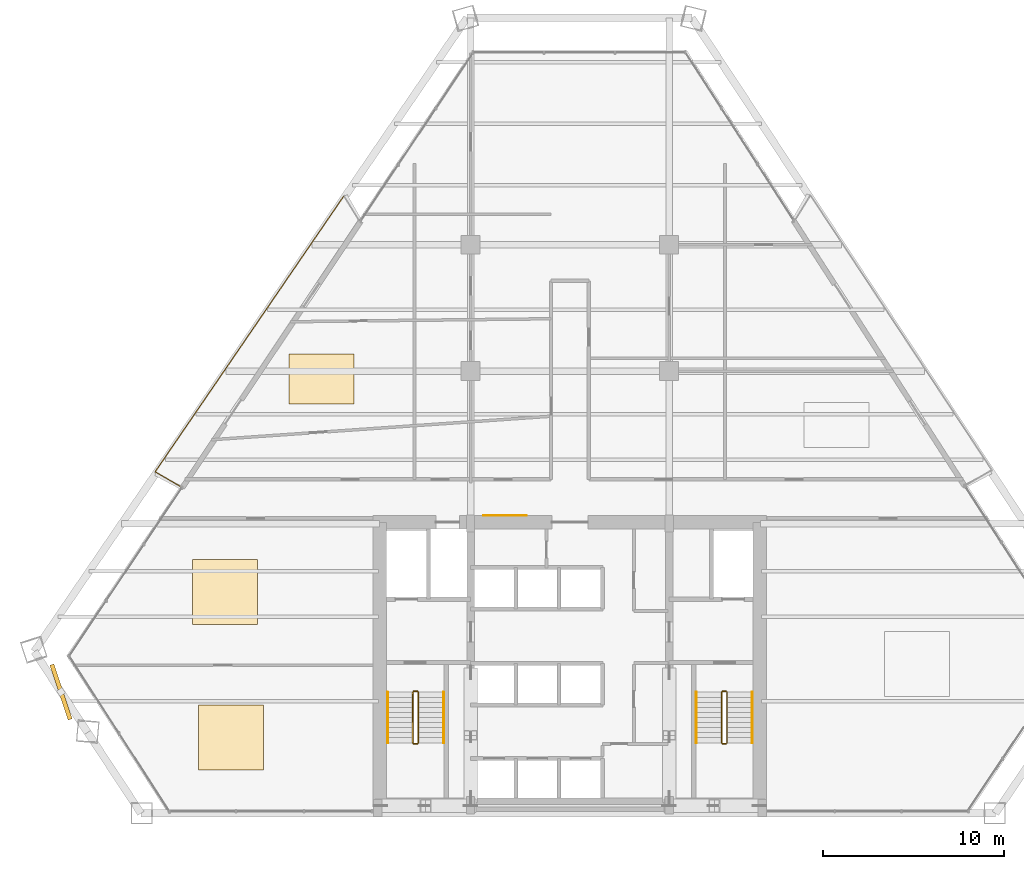
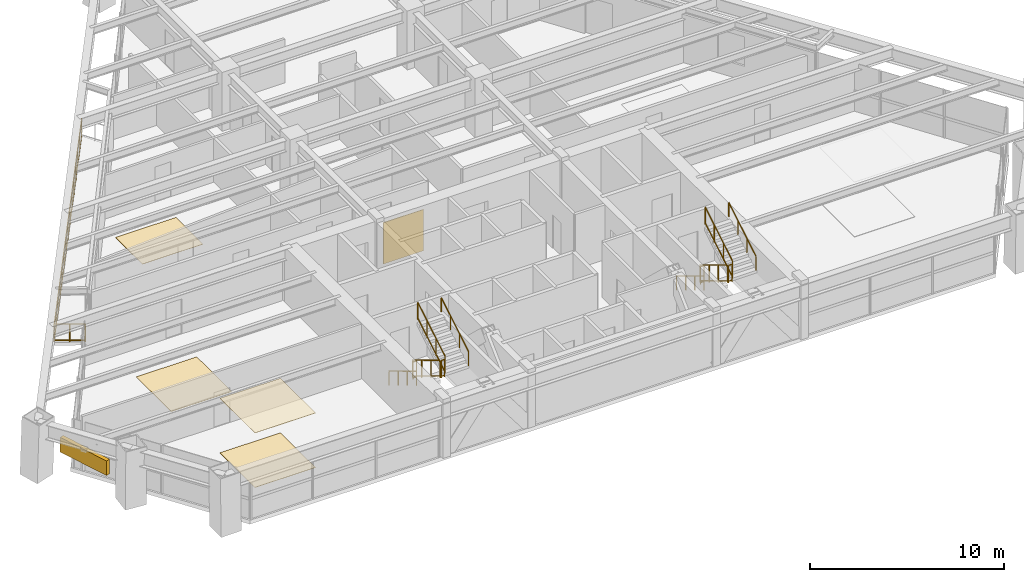
# One storey, part 13 of 14: 14 railings, 5 coverings, 1 shading device.
"""IFC4 building model written with IfcOpenShell, lengths in metres."""

import ifcopenshell
import ifcopenshell.guid

model = None  # the IFC model being written
_history = None  # IfcOwnerHistory: only IFC2X3 demands one
_inside = {}  # id of a spatial element -> (the spatial element, [elements in it])
_under = {}  # id of a project, library or spatial element -> (it, [spatial elements below it])
_declared = {}  # id of a project -> (the project, [libraries it declares])
_typed = {}  # id of a type object -> (the type object, [elements of that type])
_made_of = {}  # id of a material, layer set ... -> (it, [elements and type objects made of it])


def new_model(schema):
    """Start an empty IFC model of exactly this schema.

    Asked for "IFC4X3", IfcOpenShell would pick the latest addendum, in which some entities
    have other attributes; the version numbers below select the first issue.
    IFC2X3 requires an IfcOwnerHistory on every rooted entity: one is made here for all.
    """
    global model, _history
    if schema == "IFC4X3":
        model = ifcopenshell.file(schema_version=(4, 3, 0, 0))
    else:
        model = ifcopenshell.file(schema=schema)
    _inside.clear()
    _under.clear()
    _declared.clear()
    _typed.clear()
    _made_of.clear()
    _history = None
    if model.schema == "IFC2X3":
        org = make("IfcOrganization", Name="unknown")
        user = make(
            "IfcPersonAndOrganization",
            ThePerson=make("IfcPerson", FamilyName="unknown"),
            TheOrganization=org,
        )
        app = make(
            "IfcApplication",
            ApplicationDeveloper=org,
            Version="unknown",
            ApplicationFullName="unknown",
            ApplicationIdentifier="unknown",
        )
        _history = make(
            "IfcOwnerHistory",
            OwningUser=user,
            OwningApplication=app,
            ChangeAction="ADDED",
            CreationDate=0,
        )
    return model


def make(cls, **values):
    """One entity of the class cls with the attributes given. An attribute that is None is left unset."""
    return model.create_entity(
        cls, **{name: value for name, value in values.items() if value is not None}
    )


def rooted(cls, **values):
    """An entity with a GlobalId (a new one), such as an element, a storey or a relation."""
    return make(cls, GlobalId=ifcopenshell.guid.new(), OwnerHistory=_history, **values)


def si_unit(unit_type, name, prefix=None):
    """IfcSIUnit, for example si_unit("LENGTHUNIT", "METRE", prefix="MILLI")."""
    return make("IfcSIUnit", UnitType=unit_type, Prefix=prefix, Name=name)


def assignment(units):
    """IfcUnitAssignment: the units of a project."""
    return None if units is None else make("IfcUnitAssignment", Units=units)


def point(xyz):
    """IfcCartesianPoint."""
    return None if xyz is None else make("IfcCartesianPoint", Coordinates=xyz)


def direction(xyz):
    """IfcDirection."""
    return None if xyz is None else make("IfcDirection", DirectionRatios=xyz)


def frame(location, z_axis=None, x_axis=None):
    """IfcAxis2Placement3D, a coordinate frame: its origin and axes. An axis left out is left unset."""
    return make(
        "IfcAxis2Placement3D",
        Location=point(location),
        Axis=direction(z_axis),
        RefDirection=direction(x_axis),
    )


def frame_2d(location, x_axis=None):
    """IfcAxis2Placement2D, a coordinate frame in the plane: its origin and x axis."""
    return make(
        "IfcAxis2Placement2D", Location=point(location), RefDirection=direction(x_axis)
    )


def origin():
    """The frame at (0, 0, 0) with its axes left unset."""
    return frame((0.0, 0.0, 0.0))


def origin_2d():
    """The frame at (0, 0) in the plane with its x axis left unset."""
    return frame_2d((0.0, 0.0))


def place(relative_to, where):
    """IfcLocalPlacement: puts the frame where relative to a parent placement (None: the world)."""
    return make(
        "IfcLocalPlacement", PlacementRelTo=relative_to, RelativePlacement=where
    )


def context(
    kind, dimensions, precision=None, world=None, true_north=None, identifier=None
):
    """IfcGeometricRepresentationContext, for example the 3D "Model" context."""
    return make(
        "IfcGeometricRepresentationContext",
        ContextIdentifier=identifier,
        ContextType=kind,
        CoordinateSpaceDimension=dimensions,
        Precision=precision,
        WorldCoordinateSystem=world,
        TrueNorth=true_north,
    )


def subcontext(parent, identifier, kind, view, scale=None):
    """IfcGeometricRepresentationSubContext, for example "Body" below "Model"."""
    return make(
        "IfcGeometricRepresentationSubContext",
        ContextIdentifier=identifier,
        ContextType=kind,
        ParentContext=parent,
        TargetScale=scale,
        TargetView=view,
    )


def project(units=None, contexts=None):
    """IfcProject with its units and contexts."""
    return rooted(
        "IfcProject",
        Name="project",
        RepresentationContexts=contexts,
        UnitsInContext=assignment(units),
    )


def spatial(cls, under=None, at=None, **own):
    """A site, building, storey or space (cls), placed at a placement, below another one or the project."""
    s = rooted(cls, ObjectPlacement=at, **own)
    if under is not None:
        _under.setdefault(under.id(), (under, []))[1].append(s)
    return s


def profile(cls, at=None, kind="AREA", **sizes):
    """A parametric profile (cls). Its sizes go by their IFC names, for example OverallWidth=200.0."""
    return make(cls, ProfileType=kind, Position=at, **sizes)


def rectangle(**sizes):
    """IfcRectangleProfileDef."""
    return profile("IfcRectangleProfileDef", **sizes)


def extrude(swept, where, along, depth):
    """IfcExtrudedAreaSolid: the profile swept, set in the frame where, extruded along a direction by depth."""
    return make(
        "IfcExtrudedAreaSolid",
        SweptArea=swept,
        Position=where,
        ExtrudedDirection=direction(along),
        Depth=depth,
    )


def shape(context_of_items, identifier, shape_type, items):
    """IfcShapeRepresentation: the items that make up one representation, for example the "Body"."""
    return make(
        "IfcShapeRepresentation",
        ContextOfItems=context_of_items,
        RepresentationIdentifier=identifier,
        RepresentationType=shape_type,
        Items=items,
    )


def source(mapping_origin, context_of_items, identifier, shape_type, items):
    """IfcRepresentationMap: a shape defined once, which mapped items show again and again."""
    return make(
        "IfcRepresentationMap",
        MappingOrigin=mapping_origin,
        MappedRepresentation=shape(context_of_items, identifier, shape_type, items),
    )


def transform(
    local_origin,
    x_axis=None,
    y_axis=None,
    z_axis=None,
    scale=None,
    scale2=None,
    scale3=None,
    uniform=True,
):
    """IfcCartesianTransformationOperator3D, or its non-uniform kind. x_axis, y_axis, z_axis: its Axis1, 2, 3."""
    if uniform:
        return make(
            "IfcCartesianTransformationOperator3D",
            Axis1=direction(x_axis),
            Axis2=direction(y_axis),
            LocalOrigin=point(local_origin),
            Scale=scale,
            Axis3=direction(z_axis),
        )
    return make(
        "IfcCartesianTransformationOperator3DnonUniform",
        Axis1=direction(x_axis),
        Axis2=direction(y_axis),
        LocalOrigin=point(local_origin),
        Scale=scale,
        Axis3=direction(z_axis),
        Scale2=scale2,
        Scale3=scale3,
    )


def mapped(mapping_source, mapping_target):
    """IfcMappedItem: shows the shape of a source again, moved by a transform."""
    return make(
        "IfcMappedItem", MappingSource=mapping_source, MappingTarget=mapping_target
    )


def material(Name=None, Category=None):
    """IfcMaterial."""
    return make("IfcMaterial", Name=Name, Category=Category)


def layer(
    of_material, thickness, ventilated=None, Name=None, Category=None, Priority=None
):
    """IfcMaterialLayer: one layer of a wall or slab, of a material (None: an air gap)."""
    return make(
        "IfcMaterialLayer",
        Material=of_material,
        LayerThickness=thickness,
        IsVentilated=ventilated,
        Name=Name,
        Category=Category,
        Priority=Priority,
    )


def layer_set(layers, Name=None):
    """IfcMaterialLayerSet."""
    return make("IfcMaterialLayerSet", MaterialLayers=layers, LayerSetName=Name)


def made_of(thing, what):
    """Note that an element or type object is made of a material, layer set ...; save() writes the relation."""
    if what is not None:
        _made_of.setdefault(what.id(), (what, []))[1].append(thing)
    return thing


def type_object(cls, material=None, **own):
    """A type object (cls), such as IfcWallType, which elements share."""
    return made_of(rooted(cls, **own), material)


def type_shapes(of_type, sources):
    """Give a type object the sources (RepresentationMaps) that its elements show as mapped items."""
    of_type.RepresentationMaps = sources


def element(
    cls,
    number,
    at=None,
    inside=None,
    cuts=None,
    type_object=None,
    material=None,
    context=None,
    identifier="Body",
    shape_type=None,
    held_by="IfcProductDefinitionShape",
    body=None,
    shapes=None,
    **own,
):
    """One element of the class cls, such as IfcWall. Its Tag is "e" and its number.

    at: its placement. inside: the storey or other place that contains it. cuts: it is an
    opening in that element (IfcRelVoidsElement). A single representation is given by context,
    identifier, shape_type and body (its items); several are given by shapes. held_by: the class
    of the entity that holds the representations. save() writes the other relations.
    """
    e = rooted(cls, Tag="e%d" % number, ObjectPlacement=at, **own)
    if body is not None:
        shapes = [shape(context, identifier, shape_type, body)]
    if shapes is not None:
        e.Representation = make(held_by, Representations=shapes)
    if inside is not None:
        _inside.setdefault(inside.id(), (inside, []))[1].append(e)
    if cuts is not None:
        rooted(
            "IfcRelVoidsElement", RelatingBuildingElement=cuts, RelatedOpeningElement=e
        )
    if type_object is not None:
        _typed.setdefault(type_object.id(), (type_object, []))[1].append(e)
    return made_of(e, material)


def aggregate(whole, parts):
    """IfcRelAggregates: a whole, such as a stair, and the parts it consists of."""
    return rooted("IfcRelAggregates", RelatingObject=whole, RelatedObjects=parts)


def save(model, path):
    """Write the relations noted so far, then the file.

    IfcRelAggregates (storeys below a building ...), IfcRelContainedInSpatialStructure (elements
    in a storey), IfcRelDefinesByType, IfcRelAssociatesMaterial and IfcRelDeclares: one each for
    every whole, place, type object, material and project.
    """
    for whole, parts in _under.values():
        aggregate(whole, parts)
    for where, things in _inside.values():
        rooted(
            "IfcRelContainedInSpatialStructure",
            RelatedElements=things,
            RelatingStructure=where,
        )
    for kind, things in _typed.values():
        rooted("IfcRelDefinesByType", RelatedObjects=things, RelatingType=kind)
    for what, things in _made_of.values():
        rooted("IfcRelAssociatesMaterial", RelatedObjects=things, RelatingMaterial=what)
    for by, libraries in _declared.values():
        rooted("IfcRelDeclares", RelatingContext=by, RelatedDefinitions=libraries)
    model.write(path)


model = new_model("IFC4")

# Units and contexts
model_context = context("Model", 3, precision=1e-05, world=origin(), true_north=direction((0.0, 1.0)))
body_context = subcontext(model_context, "Body", "Model", "MODEL_VIEW")
ifc_project = project(units=[si_unit("LENGTHUNIT", "METRE"), si_unit("AREAUNIT", "SQUARE_METRE"), si_unit("VOLUMEUNIT", "CUBIC_METRE"), si_unit("PLANEANGLEUNIT", "RADIAN"), si_unit("MASSUNIT", "GRAM", prefix="KILO")], contexts=[model_context])

# Site, building, storey
site_placement = place(None, origin())
site = spatial("IfcSite", under=ifc_project, at=site_placement, CompositionType="ELEMENT")
building_placement = place(site_placement, origin())
building = spatial("IfcBuilding", under=site, at=building_placement, Name="Varnakhor Terracotta Tower", CompositionType="ELEMENT")
storey_placement = place(building_placement, frame((0.0, 0.0, 102.5)))
storey = spatial("IfcBuildingStorey", under=building, at=storey_placement, Name="L25", CompositionType="ELEMENT", Elevation=102.5)

# Railings
ifc_material_1 = material(Name="Stainless Steel & Laminated Glass Guardrail", Category="steel")
railing_type_1 = type_object("IfcRailingType", Name="RLG-LOGGIA-GUARD-1150", PredefinedType="GUARDRAIL", material=ifc_material_1)
railing_1_placement = place(storey_placement, frame((-21.59130859375, 18.115966796875, 0.0)))
element("IfcRailing", 1, at=railing_1_placement, inside=storey, type_object=railing_type_1, Name="L25 W Loggia Glass Guard 1", PredefinedType="GUARDRAIL", context=body_context, shape_type="SweptSolid", body=[
    extrude(rectangle(XDim=0.048095703125, YDim=0.048095703125, at=origin_2d()), frame((0.0, 0.0, 1.1259765625), z_axis=(-0.86446870161, 0.50268664587, 0.0), x_axis=(-0.50268664587, -0.86446870161, 0.0)), (0.0, 0.0, 1.0), 1.602783203125),
    extrude(rectangle(XDim=0.048095703125, YDim=0.048095703125, at=origin_2d()), frame((0.0, 0.0, 0.10009765625), z_axis=(-0.86446870161, 0.50268664587, 0.0), x_axis=(-0.50268664587, -0.86446870161, 0.0)), (0.0, 0.0, 1.0), 1.602783203125),
    extrude(rectangle(XDim=0.0419921875, YDim=0.0419921875, at=origin_2d()), origin(), (0.0, 0.0, 1.0), 1.101806640625),
    extrude(rectangle(XDim=0.0419921875, YDim=0.0419921875, at=origin_2d()), frame((-0.69287109375, 0.40283203125, 0.0)), (0.0, 0.0, 1.0), 1.101806640625),
    extrude(rectangle(XDim=0.0419921875, YDim=0.0419921875, at=origin_2d()), frame((-1.385498046875, 0.8056640625, 0.0)), (0.0, 0.0, 1.0), 1.101806640625),
])
railing_2_placement = place(storey_placement, frame((-22.976806640625, 18.921630859375, 0.0)))
element("IfcRailing", 2, at=railing_2_placement, inside=storey, type_object=railing_type_1, Name="L25 W Loggia Glass Guard 2", PredefinedType="GUARDRAIL", context=body_context, shape_type="SweptSolid", body=[
    extrude(rectangle(XDim=0.048095703125, YDim=0.048095703125, at=origin_2d()), frame((0.0, 0.0, 1.1259765625), z_axis=(0.564596456009, 0.825367095214, 0.0), x_axis=(-0.825367095214, 0.564596456009, 0.0)), (0.0, 0.0, 1.0), 18.513916015625),
    extrude(rectangle(XDim=0.048095703125, YDim=0.048095703125, at=origin_2d()), frame((0.0, 0.0, 0.10009765625), z_axis=(0.564596456009, 0.825367095214, 0.0), x_axis=(-0.825367095214, 0.564596456009, 0.0)), (0.0, 0.0, 1.0), 18.513916015625),
    extrude(rectangle(XDim=0.0419921875, YDim=0.0419921875, at=origin_2d()), origin(), (0.0, 0.0, 1.0), 1.101806640625),
    extrude(rectangle(XDim=0.0419921875, YDim=0.0419921875, at=origin_2d()), frame((0.74658203125, 1.091552734375, 0.0)), (0.0, 0.0, 1.0), 1.101806640625),
    extrude(rectangle(XDim=0.0419921875, YDim=0.0419921875, at=origin_2d()), frame((1.4931640625, 2.182861328125, 0.0)), (0.0, 0.0, 1.0), 1.101806640625),
    extrude(rectangle(XDim=0.0419921875, YDim=0.0419921875, at=origin_2d()), frame((2.239990234375, 3.2744140625, 0.0)), (0.0, 0.0, 1.0), 1.101806640625),
    extrude(rectangle(XDim=0.0419921875, YDim=0.0419921875, at=origin_2d()), frame((2.986572265625, 4.365966796875, 0.0)), (0.0, 0.0, 1.0), 1.101806640625),
    extrude(rectangle(XDim=0.0419921875, YDim=0.0419921875, at=origin_2d()), frame((3.733154296875, 5.45751953125, 0.0)), (0.0, 0.0, 1.0), 1.101806640625),
    extrude(rectangle(XDim=0.0419921875, YDim=0.0419921875, at=origin_2d()), frame((4.479736328125, 6.548828125, 0.0)), (0.0, 0.0, 1.0), 1.101806640625),
    extrude(rectangle(XDim=0.0419921875, YDim=0.0419921875, at=origin_2d()), frame((5.2265625, 7.640380859375, 0.0)), (0.0, 0.0, 1.0), 1.101806640625),
    extrude(rectangle(XDim=0.0419921875, YDim=0.0419921875, at=origin_2d()), frame((5.97314453125, 8.73193359375, 0.0)), (0.0, 0.0, 1.0), 1.101806640625),
    extrude(rectangle(XDim=0.0419921875, YDim=0.0419921875, at=origin_2d()), frame((6.7197265625, 9.8232421875, 0.0)), (0.0, 0.0, 1.0), 1.101806640625),
    extrude(rectangle(XDim=0.0419921875, YDim=0.0419921875, at=origin_2d()), frame((7.46630859375, 10.914794921875, 0.0)), (0.0, 0.0, 1.0), 1.101806640625),
    extrude(rectangle(XDim=0.0419921875, YDim=0.0419921875, at=origin_2d()), frame((8.212890625, 12.00634765625, 0.0)), (0.0, 0.0, 1.0), 1.101806640625),
    extrude(rectangle(XDim=0.0419921875, YDim=0.0419921875, at=origin_2d()), frame((8.959716796875, 13.097900390625, 0.0)), (0.0, 0.0, 1.0), 1.101806640625),
    extrude(rectangle(XDim=0.0419921875, YDim=0.0419921875, at=origin_2d()), frame((9.706298828125, 14.189208984375, 0.0)), (0.0, 0.0, 1.0), 1.101806640625),
    extrude(rectangle(XDim=0.0419921875, YDim=0.0419921875, at=origin_2d()), frame((10.452880859375, 15.28076171875, 0.0)), (0.0, 0.0, 1.0), 1.101806640625),
])
ifc_material_2 = material(Name="Painted Steel Stairwell Guardrail", Category="steel")
railing_type_2 = type_object("IfcRailingType", Name="RLG-STAIR-GUARD-1120", PredefinedType="GUARDRAIL", material=ifc_material_2)
railing_3_placement = place(storey_placement, frame((-8.699951171875, 6.7099609375, 0.168212890625)))
element("IfcRailing", 3, at=railing_3_placement, inside=storey, type_object=railing_type_2, Name="L25 ST-1 stair guard 1", PredefinedType="GUARDRAIL", context=body_context, shape_type="SweptSolid", body=[
    extrude(rectangle(XDim=0.048095703125, YDim=0.048095703125, at=origin_2d()), frame((0.0, 0.0, 1.09619140625), z_axis=(0.0, -0.857242210791, 0.514913383045), x_axis=(1.0, 0.0, 0.0)), (0.0, 0.0, 1.0), 3.266357421875),
    extrude(rectangle(XDim=0.048095703125, YDim=0.048095703125, at=origin_2d()), frame((0.0, 0.0, 0.10009765625), z_axis=(0.0, -0.857242210791, 0.514913383045), x_axis=(1.0, 0.0, 0.0)), (0.0, 0.0, 1.0), 3.266357421875),
    extrude(rectangle(XDim=0.0419921875, YDim=0.0419921875, at=origin_2d()), origin(), (0.0, 0.0, 1.0), 1.072021484375),
    extrude(rectangle(XDim=0.0419921875, YDim=0.0419921875, at=origin_2d()), frame((0.0, -0.933349609375, 0.560546875)), (0.0, 0.0, 1.0), 1.072021484375),
    extrude(rectangle(XDim=0.0419921875, YDim=0.0419921875, at=origin_2d()), frame((0.0, -1.86669921875, 1.121337890625)), (0.0, 0.0, 1.0), 1.072021484375),
    extrude(rectangle(XDim=0.0419921875, YDim=0.0419921875, at=origin_2d()), frame((0.0, -2.800048828125, 1.681884765625)), (0.0, 0.0, 1.0), 1.072021484375),
])
railing_4_placement = place(storey_placement, frame((-8.64990234375, 3.860107421875, 1.85009765625)))
element("IfcRailing", 4, at=railing_4_placement, inside=storey, type_object=railing_type_2, Name="L25 ST-1 stair guard 2", PredefinedType="GUARDRAIL", context=body_context, shape_type="SweptSolid", body=[
    extrude(rectangle(XDim=0.048095703125, YDim=0.048095703125, at=origin_2d()), frame((0.0, 0.0, 1.09619140625), z_axis=(1.0, 0.0, 0.0), x_axis=(0.0, 1.0, 0.0)), (0.0, 0.0, 1.0), 0.199951171875),
    extrude(rectangle(XDim=0.048095703125, YDim=0.048095703125, at=origin_2d()), frame((0.0, 0.0, 0.10009765625), z_axis=(1.0, 0.0, 0.0), x_axis=(0.0, 1.0, 0.0)), (0.0, 0.0, 1.0), 0.199951171875),
    extrude(rectangle(XDim=0.0419921875, YDim=0.0419921875, at=origin_2d()), origin(), (0.0, 0.0, 1.0), 1.072021484375),
    extrude(rectangle(XDim=0.0419921875, YDim=0.0419921875, at=origin_2d()), frame((0.199951171875, 0.0, 0.0)), (0.0, 0.0, 1.0), 1.072021484375),
])
railing_5_placement = place(storey_placement, frame((-8.39990234375, 3.909912109375, 2.01806640625)))
element("IfcRailing", 5, at=railing_5_placement, inside=storey, type_object=railing_type_2, Name="L25 ST-1 stair guard 3", PredefinedType="GUARDRAIL", context=body_context, shape_type="SweptSolid", body=[
    extrude(rectangle(XDim=0.048095703125, YDim=0.048095703125, at=origin_2d()), frame((0.0, 0.0, 1.09619140625), z_axis=(0.0, 0.857242210791, 0.514913383045), x_axis=(-1.0, 0.0, 0.0)), (0.0, 0.0, 1.0), 3.266357421875),
    extrude(rectangle(XDim=0.048095703125, YDim=0.048095703125, at=origin_2d()), frame((0.0, 0.0, 0.10009765625), z_axis=(0.0, 0.857242210791, 0.514913383045), x_axis=(-1.0, 0.0, 0.0)), (0.0, 0.0, 1.0), 3.266357421875),
    extrude(rectangle(XDim=0.0419921875, YDim=0.0419921875, at=origin_2d()), origin(), (0.0, 0.0, 1.0), 1.072021484375),
    extrude(rectangle(XDim=0.0419921875, YDim=0.0419921875, at=origin_2d()), frame((0.0, 0.933349609375, 0.560546875)), (0.0, 0.0, 1.0), 1.072021484375),
    extrude(rectangle(XDim=0.0419921875, YDim=0.0419921875, at=origin_2d()), frame((0.0, 1.86669921875, 1.121337890625)), (0.0, 0.0, 1.0), 1.072021484375),
    extrude(rectangle(XDim=0.0419921875, YDim=0.0419921875, at=origin_2d()), frame((0.0, 2.800048828125, 1.681884765625)), (0.0, 0.0, 1.0), 1.072021484375),
])
railing_6_placement = place(storey_placement, frame((-8.64990234375, 6.760009765625, 0.0)))
element("IfcRailing", 6, at=railing_6_placement, inside=storey, type_object=railing_type_2, Name="L25 ST-1 stair guard 4", PredefinedType="GUARDRAIL", context=body_context, shape_type="SweptSolid", body=[
    extrude(rectangle(XDim=0.048095703125, YDim=0.048095703125, at=origin_2d()), frame((0.0, 0.0, 1.09619140625), z_axis=(1.0, 0.0, 0.0), x_axis=(0.0, 1.0, 0.0)), (0.0, 0.0, 1.0), 0.199951171875),
    extrude(rectangle(XDim=0.048095703125, YDim=0.048095703125, at=origin_2d()), frame((0.0, 0.0, 0.10009765625), z_axis=(1.0, 0.0, 0.0), x_axis=(0.0, 1.0, 0.0)), (0.0, 0.0, 1.0), 0.199951171875),
    extrude(rectangle(XDim=0.0419921875, YDim=0.0419921875, at=origin_2d()), origin(), (0.0, 0.0, 1.0), 1.072021484375),
    extrude(rectangle(XDim=0.0419921875, YDim=0.0419921875, at=origin_2d()), frame((0.199951171875, 0.0, 0.0)), (0.0, 0.0, 1.0), 1.072021484375),
])
railing_7_placement = place(storey_placement, frame((8.39990234375, 6.7099609375, 0.168212890625)))
element("IfcRailing", 7, at=railing_7_placement, inside=storey, type_object=railing_type_2, Name="L25 ST-2 stair guard 1", PredefinedType="GUARDRAIL", context=body_context, shape_type="SweptSolid", body=[
    extrude(rectangle(XDim=0.048095703125, YDim=0.048095703125, at=origin_2d()), frame((0.0, 0.0, 1.09619140625), z_axis=(0.0, -0.857242210791, 0.514913383045), x_axis=(1.0, 0.0, 0.0)), (0.0, 0.0, 1.0), 3.266357421875),
    extrude(rectangle(XDim=0.048095703125, YDim=0.048095703125, at=origin_2d()), frame((0.0, 0.0, 0.10009765625), z_axis=(0.0, -0.857242210791, 0.514913383045), x_axis=(1.0, 0.0, 0.0)), (0.0, 0.0, 1.0), 3.266357421875),
    extrude(rectangle(XDim=0.0419921875, YDim=0.0419921875, at=origin_2d()), origin(), (0.0, 0.0, 1.0), 1.072021484375),
    extrude(rectangle(XDim=0.0419921875, YDim=0.0419921875, at=origin_2d()), frame((0.0, -0.933349609375, 0.560546875)), (0.0, 0.0, 1.0), 1.072021484375),
    extrude(rectangle(XDim=0.0419921875, YDim=0.0419921875, at=origin_2d()), frame((0.0, -1.86669921875, 1.121337890625)), (0.0, 0.0, 1.0), 1.072021484375),
    extrude(rectangle(XDim=0.0419921875, YDim=0.0419921875, at=origin_2d()), frame((0.0, -2.800048828125, 1.681884765625)), (0.0, 0.0, 1.0), 1.072021484375),
])
railing_8_placement = place(storey_placement, frame((8.449951171875, 3.860107421875, 1.85009765625)))
element("IfcRailing", 8, at=railing_8_placement, inside=storey, type_object=railing_type_2, Name="L25 ST-2 stair guard 2", PredefinedType="GUARDRAIL", context=body_context, shape_type="SweptSolid", body=[
    extrude(rectangle(XDim=0.048095703125, YDim=0.048095703125, at=origin_2d()), frame((0.0, 0.0, 1.09619140625), z_axis=(1.0, 0.0, 0.0), x_axis=(0.0, 1.0, 0.0)), (0.0, 0.0, 1.0), 0.199951171875),
    extrude(rectangle(XDim=0.048095703125, YDim=0.048095703125, at=origin_2d()), frame((0.0, 0.0, 0.10009765625), z_axis=(1.0, 0.0, 0.0), x_axis=(0.0, 1.0, 0.0)), (0.0, 0.0, 1.0), 0.199951171875),
    extrude(rectangle(XDim=0.0419921875, YDim=0.0419921875, at=origin_2d()), origin(), (0.0, 0.0, 1.0), 1.072021484375),
    extrude(rectangle(XDim=0.0419921875, YDim=0.0419921875, at=origin_2d()), frame((0.199951171875, 0.0, 0.0)), (0.0, 0.0, 1.0), 1.072021484375),
])
railing_9_placement = place(storey_placement, frame((8.699951171875, 3.909912109375, 2.01806640625)))
element("IfcRailing", 9, at=railing_9_placement, inside=storey, type_object=railing_type_2, Name="L25 ST-2 stair guard 3", PredefinedType="GUARDRAIL", context=body_context, shape_type="SweptSolid", body=[
    extrude(rectangle(XDim=0.048095703125, YDim=0.048095703125, at=origin_2d()), frame((0.0, 0.0, 1.09619140625), z_axis=(0.0, 0.857242210791, 0.514913383045), x_axis=(-1.0, 0.0, 0.0)), (0.0, 0.0, 1.0), 3.266357421875),
    extrude(rectangle(XDim=0.048095703125, YDim=0.048095703125, at=origin_2d()), frame((0.0, 0.0, 0.10009765625), z_axis=(0.0, 0.857242210791, 0.514913383045), x_axis=(-1.0, 0.0, 0.0)), (0.0, 0.0, 1.0), 3.266357421875),
    extrude(rectangle(XDim=0.0419921875, YDim=0.0419921875, at=origin_2d()), origin(), (0.0, 0.0, 1.0), 1.072021484375),
    extrude(rectangle(XDim=0.0419921875, YDim=0.0419921875, at=origin_2d()), frame((0.0, 0.933349609375, 0.560546875)), (0.0, 0.0, 1.0), 1.072021484375),
    extrude(rectangle(XDim=0.0419921875, YDim=0.0419921875, at=origin_2d()), frame((0.0, 1.86669921875, 1.121337890625)), (0.0, 0.0, 1.0), 1.072021484375),
    extrude(rectangle(XDim=0.0419921875, YDim=0.0419921875, at=origin_2d()), frame((0.0, 2.800048828125, 1.681884765625)), (0.0, 0.0, 1.0), 1.072021484375),
])
railing_10_placement = place(storey_placement, frame((8.449951171875, 6.760009765625, 0.0)))
element("IfcRailing", 10, at=railing_10_placement, inside=storey, type_object=railing_type_2, Name="L25 ST-2 stair guard 4", PredefinedType="GUARDRAIL", context=body_context, shape_type="SweptSolid", body=[
    extrude(rectangle(XDim=0.048095703125, YDim=0.048095703125, at=origin_2d()), frame((0.0, 0.0, 1.09619140625), z_axis=(1.0, 0.0, 0.0), x_axis=(0.0, 1.0, 0.0)), (0.0, 0.0, 1.0), 0.199951171875),
    extrude(rectangle(XDim=0.048095703125, YDim=0.048095703125, at=origin_2d()), frame((0.0, 0.0, 0.10009765625), z_axis=(1.0, 0.0, 0.0), x_axis=(0.0, 1.0, 0.0)), (0.0, 0.0, 1.0), 0.199951171875),
    extrude(rectangle(XDim=0.0419921875, YDim=0.0419921875, at=origin_2d()), origin(), (0.0, 0.0, 1.0), 1.072021484375),
    extrude(rectangle(XDim=0.0419921875, YDim=0.0419921875, at=origin_2d()), frame((0.199951171875, 0.0, 0.0)), (0.0, 0.0, 1.0), 1.072021484375),
])
ifc_material_3 = material(Name="Brushed Stainless Steel Handrail", Category="steel")
railing_type_3 = type_object("IfcRailingType", Name="RLG-STAIR-HANDRAIL-920", PredefinedType="HANDRAIL", material=ifc_material_3)
railing_11_placement = place(storey_placement, frame((-10.10009765625, 6.7099609375, 0.168212890625)))
element("IfcRailing", 11, at=railing_11_placement, inside=storey, type_object=railing_type_3, Name="L25 ST-1 stair handrail 1", PredefinedType="HANDRAIL", context=body_context, shape_type="SweptSolid", body=[
    extrude(rectangle(XDim=0.048095703125, YDim=0.048095703125, at=origin_2d()), frame((0.0, 0.0, 0.89599609375), z_axis=(0.0, -0.857242210791, 0.514913383045), x_axis=(1.0, 0.0, 0.0)), (0.0, 0.0, 1.0), 3.266357421875),
    extrude(rectangle(XDim=0.0419921875, YDim=0.0419921875, at=origin_2d()), origin(), (0.0, 0.0, 1.0), 0.871826171875),
    extrude(rectangle(XDim=0.0419921875, YDim=0.0419921875, at=origin_2d()), frame((0.0, -0.933349609375, 0.560546875)), (0.0, 0.0, 1.0), 0.871826171875),
    extrude(rectangle(XDim=0.0419921875, YDim=0.0419921875, at=origin_2d()), frame((0.0, -1.86669921875, 1.121337890625)), (0.0, 0.0, 1.0), 0.871826171875),
    extrude(rectangle(XDim=0.0419921875, YDim=0.0419921875, at=origin_2d()), frame((0.0, -2.800048828125, 1.681884765625)), (0.0, 0.0, 1.0), 0.871826171875),
])
railing_12_placement = place(storey_placement, frame((-7.0, 3.909912109375, 2.01806640625)))
element("IfcRailing", 12, at=railing_12_placement, inside=storey, type_object=railing_type_3, Name="L25 ST-1 stair handrail 2", PredefinedType="HANDRAIL", context=body_context, shape_type="SweptSolid", body=[
    extrude(rectangle(XDim=0.048095703125, YDim=0.048095703125, at=origin_2d()), frame((0.0, 0.0, 0.89599609375), z_axis=(0.0, 0.857242210791, 0.514913383045), x_axis=(-1.0, 0.0, 0.0)), (0.0, 0.0, 1.0), 3.266357421875),
    extrude(rectangle(XDim=0.0419921875, YDim=0.0419921875, at=origin_2d()), origin(), (0.0, 0.0, 1.0), 0.871826171875),
    extrude(rectangle(XDim=0.0419921875, YDim=0.0419921875, at=origin_2d()), frame((0.0, 0.933349609375, 0.560546875)), (0.0, 0.0, 1.0), 0.871826171875),
    extrude(rectangle(XDim=0.0419921875, YDim=0.0419921875, at=origin_2d()), frame((0.0, 1.86669921875, 1.121337890625)), (0.0, 0.0, 1.0), 0.871826171875),
    extrude(rectangle(XDim=0.0419921875, YDim=0.0419921875, at=origin_2d()), frame((0.0, 2.800048828125, 1.681884765625)), (0.0, 0.0, 1.0), 0.871826171875),
])
railing_13_placement = place(storey_placement, frame((7.0, 6.7099609375, 0.168212890625)))
element("IfcRailing", 13, at=railing_13_placement, inside=storey, type_object=railing_type_3, Name="L25 ST-2 stair handrail 1", PredefinedType="HANDRAIL", context=body_context, shape_type="SweptSolid", body=[
    extrude(rectangle(XDim=0.048095703125, YDim=0.048095703125, at=origin_2d()), frame((0.0, 0.0, 0.89599609375), z_axis=(0.0, -0.857242210791, 0.514913383045), x_axis=(1.0, 0.0, 0.0)), (0.0, 0.0, 1.0), 3.266357421875),
    extrude(rectangle(XDim=0.0419921875, YDim=0.0419921875, at=origin_2d()), origin(), (0.0, 0.0, 1.0), 0.871826171875),
    extrude(rectangle(XDim=0.0419921875, YDim=0.0419921875, at=origin_2d()), frame((0.0, -0.933349609375, 0.560546875)), (0.0, 0.0, 1.0), 0.871826171875),
    extrude(rectangle(XDim=0.0419921875, YDim=0.0419921875, at=origin_2d()), frame((0.0, -1.86669921875, 1.121337890625)), (0.0, 0.0, 1.0), 0.871826171875),
    extrude(rectangle(XDim=0.0419921875, YDim=0.0419921875, at=origin_2d()), frame((0.0, -2.800048828125, 1.681884765625)), (0.0, 0.0, 1.0), 0.871826171875),
])
railing_14_placement = place(storey_placement, frame((10.10009765625, 3.909912109375, 2.01806640625)))
element("IfcRailing", 14, at=railing_14_placement, inside=storey, type_object=railing_type_3, Name="L25 ST-2 stair handrail 2", PredefinedType="HANDRAIL", context=body_context, shape_type="SweptSolid", body=[
    extrude(rectangle(XDim=0.048095703125, YDim=0.048095703125, at=origin_2d()), frame((0.0, 0.0, 0.89599609375), z_axis=(0.0, 0.857242210791, 0.514913383045), x_axis=(-1.0, 0.0, 0.0)), (0.0, 0.0, 1.0), 3.266357421875),
    extrude(rectangle(XDim=0.0419921875, YDim=0.0419921875, at=origin_2d()), origin(), (0.0, 0.0, 1.0), 0.871826171875),
    extrude(rectangle(XDim=0.0419921875, YDim=0.0419921875, at=origin_2d()), frame((0.0, 0.933349609375, 0.560546875)), (0.0, 0.0, 1.0), 0.871826171875),
    extrude(rectangle(XDim=0.0419921875, YDim=0.0419921875, at=origin_2d()), frame((0.0, 1.86669921875, 1.121337890625)), (0.0, 0.0, 1.0), 0.871826171875),
    extrude(rectangle(XDim=0.0419921875, YDim=0.0419921875, at=origin_2d()), frame((0.0, 2.800048828125, 1.681884765625)), (0.0, 0.0, 1.0), 0.871826171875),
])

# Shading device
ifc_material_4 = material(Name="Extruded Architectural Terracotta Screen", Category="masonry")
shading_device_type = type_object("IfcShadingDeviceType", Name="TERRACOTTA SOLAR SCREEN W", PredefinedType="USERDEFINED", material=ifc_material_4)
shared_shape_1 = source(origin(), body_context, "Body", "SweptSolid", [
    extrude(rectangle(XDim=3.199951171875, YDim=0.239990234375, at=origin_2d()), origin(), (0.0, 0.0, 1.0), 0.919921875),
])
type_shapes(shading_device_type, [shared_shape_1])
shading_device_placement = place(storey_placement, frame((-28.192626953125, 6.7236328125, 1.617919921875), z_axis=(0.0, 0.0, 1.0), x_axis=(0.315417173378, -0.948953110927, 0.0)))
element("IfcShadingDevice", 15, at=shading_device_placement, inside=storey, type_object=shading_device_type, Name="L25 W Terracotta Solar Screen", ObjectType="SCREEN", PredefinedType="USERDEFINED", context=body_context, shape_type="MappedRepresentation", body=[
    mapped(shared_shape_1, transform((0.0, 0.0, 0.0), scale=1.0)),
])

# Coverings
ifc_material_5 = material(Name="Extruded Architectural Terracotta Cladding", Category="masonry")
ifc_layer_1 = layer(ifc_material_5, 0.044921875, Name="Extruded Architectural Terracotta Cladding")
ifc_layer_set_1 = layer_set([ifc_layer_1], Name="Extruded Architectural Terracotta Cladding")
covering_type_1 = type_object("IfcCoveringType", Name="COV-CLAD-TERRACOTTA", PredefinedType="CLADDING", material=ifc_layer_set_1)
shared_shape_2 = source(origin(), body_context, "Body", "SweptSolid", [
    extrude(rectangle(XDim=2.39990234375, YDim=0.030029296875, at=origin_2d()), origin(), (0.0, 0.0, 1.0), 2.60009765625),
])
type_shapes(covering_type_1, [shared_shape_2])
covering_1_placement = place(storey_placement, frame((-3.60009765625, 16.511962890625, 0.0), z_axis=(0.0, 0.0, 1.0), x_axis=(1.0, 0.0, 0.0)))
element("IfcCovering", 16, at=covering_1_placement, inside=storey, type_object=covering_type_1, Name="L25 Core Lobby Limestone Cladding", PredefinedType="CLADDING", context=body_context, shape_type="MappedRepresentation", body=[
    mapped(shared_shape_2, transform((0.0, 0.0, 0.0), scale=1.0)),
])
ifc_material_6 = material(Name="Honed Riyadh Limestone Flooring", Category="masonry")
ifc_layer_2 = layer(ifc_material_6, 0.030029296875, Name="Honed Riyadh Limestone Flooring")
ifc_layer_set_2 = layer_set([ifc_layer_2], Name="Honed Riyadh Limestone Flooring")
covering_type_2 = type_object("IfcCoveringType", Name="COV-FLOOR-LIMESTONE", PredefinedType="FLOORING", material=ifc_layer_set_2)
shared_shape_3 = source(origin(), body_context, "Body", "SweptSolid", [
    extrude(rectangle(XDim=3.60009765625, YDim=3.60009765625, at=origin_2d()), origin(), (0.0, 0.0, 1.0), 0.02001953125),
])
covering_2_placement = place(storey_placement, frame((-19.09912109375, 12.263916015625, 0.0), z_axis=(0.0, 0.0, 1.0), x_axis=(1.0, 0.0, 0.0)))
element("IfcCovering", 17, at=covering_2_placement, inside=storey, type_object=covering_type_2, Name="L25 Honed Stone Flooring 3", PredefinedType="FLOORING", context=body_context, shape_type="MappedRepresentation", body=[
    mapped(shared_shape_3, transform((0.0, 0.0, 0.0), scale=1.0)),
])
shared_shape_4 = source(origin(), body_context, "Body", "SweptSolid", [
    extrude(rectangle(XDim=3.60009765625, YDim=3.59912109375, at=origin_2d()), origin(), (0.0, 0.0, 1.0), 0.02001953125),
])
covering_3_placement = place(storey_placement, frame((-18.77099609375, 4.201904296875, 0.0), z_axis=(0.0, 0.0, 1.0), x_axis=(1.0, 0.0, 0.0)))
element("IfcCovering", 18, at=covering_3_placement, inside=storey, type_object=covering_type_2, Name="L25 Honed Stone Flooring 1", PredefinedType="FLOORING", context=body_context, shape_type="MappedRepresentation", body=[
    mapped(shared_shape_4, transform((0.0, 0.0, 0.0), scale=1.0)),
])
ifc_material_7 = material(Name="Perforated Acoustic Mineral-Fibre Ceiling", Category="gypsum")
ifc_layer_3 = layer(ifc_material_7, 0.02490234375, Name="Perforated Acoustic Mineral-Fibre Ceiling")
ifc_layer_set_3 = layer_set([ifc_layer_3], Name="Perforated Acoustic Mineral-Fibre Ceiling")
covering_type_3 = type_object("IfcCoveringType", Name="COV-CEILING-ACOUSTIC", PredefinedType="CEILING", material=ifc_layer_set_3)
shared_shape_5 = source(origin(), body_context, "Body", "SweptSolid", [
    extrude(rectangle(XDim=3.60009765625, YDim=3.59912109375, at=origin_2d()), origin(), (0.0, 0.0, 1.0), 0.02392578125),
])
covering_4_placement = place(storey_placement, frame((-18.77099609375, 4.201904296875, 3.426025390625), z_axis=(0.0, 0.0, 1.0), x_axis=(1.0, 0.0, 0.0)))
element("IfcCovering", 19, at=covering_4_placement, inside=storey, type_object=covering_type_3, Name="L25 Acoustic Ceiling Panel 1", PredefinedType="CEILING", context=body_context, shape_type="MappedRepresentation", body=[
    mapped(shared_shape_5, transform((0.0, 0.0, 0.0), scale=1.0)),
])
shared_shape_6 = source(origin(), body_context, "Body", "SweptSolid", [
    extrude(rectangle(XDim=3.60009765625, YDim=2.77001953125, at=origin_2d()), origin(), (0.0, 0.0, 1.0), 0.02001953125),
])
covering_5_placement = place(storey_placement, frame((-13.758056640625, 24.06005859375, 0.0), z_axis=(0.0, 0.0, 1.0), x_axis=(1.0, 0.0, 0.0)))
element("IfcCovering", 20, at=covering_5_placement, inside=storey, type_object=covering_type_2, Name="L25 Honed Stone Flooring 5", PredefinedType="FLOORING", context=body_context, shape_type="MappedRepresentation", body=[
    mapped(shared_shape_6, transform((0.0, 0.0, 0.0), scale=1.0)),
])

save(model, "model.ifc")
